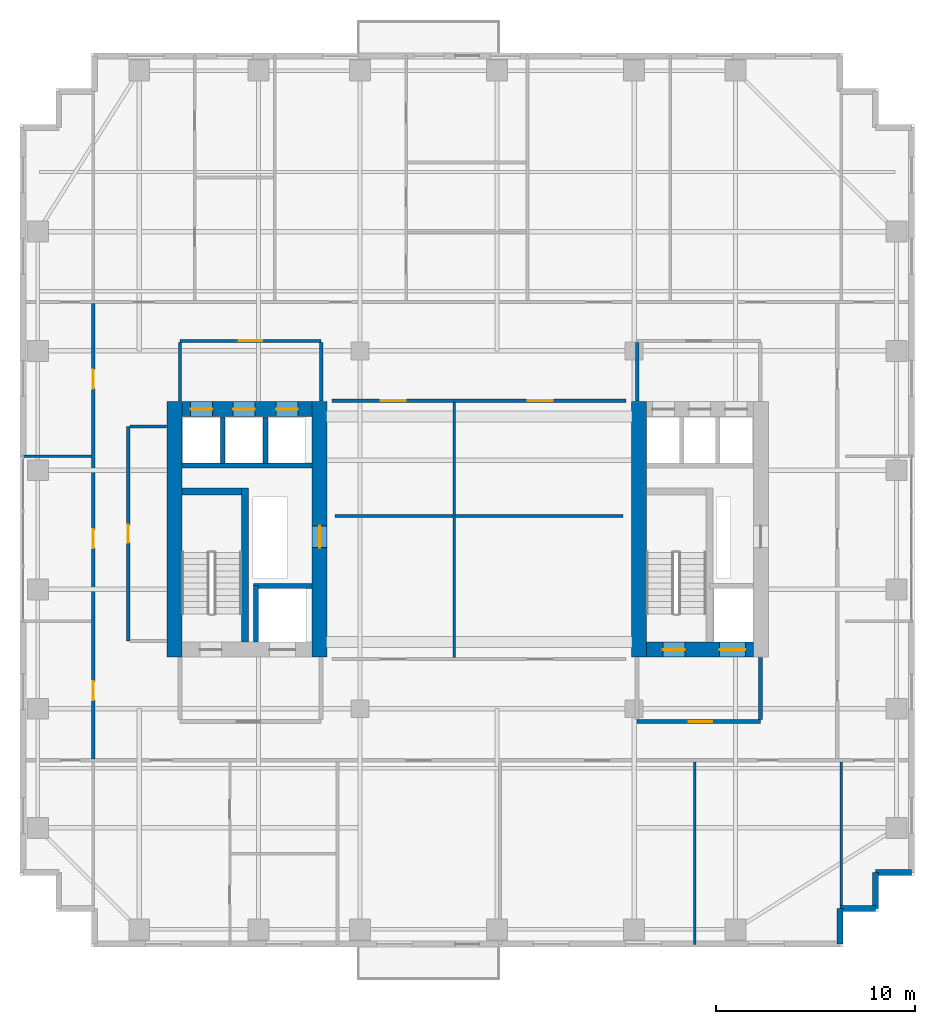
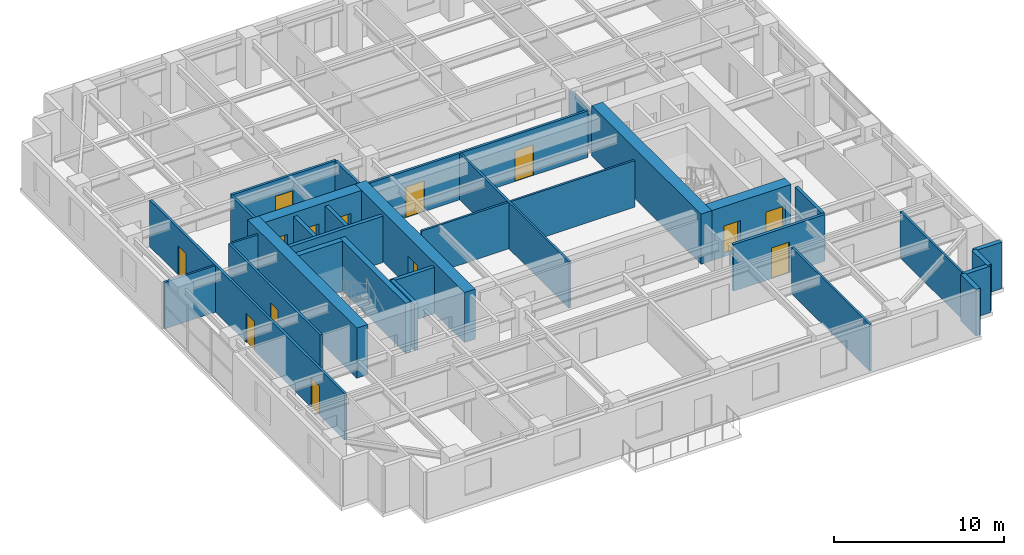
# One storey, part 9 of 14: 31 walls, 14 doors, 14 openings.
"""IFC4 building model written with IfcOpenShell, lengths in metres."""

from ifc_helpers import new_model, si_unit, direction, frame, frame_2d, origin, place, context, subcontext, project, spatial, rectangle, extrude, source, transform, mapped, material, layer, layer_set, type_object, element, fill, save


model = new_model("IFC4")

# Units and contexts
model_context = context("Model", 3, precision=1e-05, world=origin(), true_north=direction((0.0, 1.0)))
body_context = subcontext(model_context, "Body", "Model", "MODEL_VIEW")
ifc_project = project(units=[si_unit("LENGTHUNIT", "METRE"), si_unit("AREAUNIT", "SQUARE_METRE"), si_unit("VOLUMEUNIT", "CUBIC_METRE"), si_unit("PLANEANGLEUNIT", "RADIAN"), si_unit("MASSUNIT", "GRAM", prefix="KILO")], contexts=[model_context])

# Site, building, storey
site_placement = place(None, origin())
site = spatial("IfcSite", under=ifc_project, at=site_placement, CompositionType="ELEMENT")
building_placement = place(site_placement, origin())
building = spatial("IfcBuilding", under=site, at=building_placement, Name="Khoralis Quay Care Tower", CompositionType="ELEMENT")
storey_placement = place(building_placement, frame((0.0, 0.0, 108.89990234375)))
storey = spatial("IfcBuildingStorey", under=building, at=storey_placement, Name="L28", CompositionType="ELEMENT", Elevation=108.89990234375)

# Wall, opening, door
ifc_material_1 = material(Name="Gypsum plasterboard on acoustic metal stud")
ifc_layer_1 = layer(ifc_material_1, 0.199951171875)
ifc_layer_set_1 = layer_set([ifc_layer_1], Name="Gypsum plasterboard on acoustic metal stud")
wall_type_1 = type_object("IfcWallType", Name="WL-COMP-200", PredefinedType="PARTITIONING", material=ifc_layer_set_1)
wall_1_placement = place(storey_placement, frame((31.050048828125, 11.35009765625, 0.0), z_axis=(0.0, 0.0, 1.0), x_axis=(1.0, 0.0, 0.0)))
wall_1 = element("IfcWall", 1, at=wall_1_placement, inside=storey, type_object=wall_type_1, Name="L28 East Firefighting Lobby South Wall", PredefinedType="PARTITIONING", context=body_context, shape_type="SweptSolid", body=[
    extrude(rectangle(XDim=6.199951171875, YDim=0.199951171875, at=frame_2d((3.10009765625, 0.0))), origin(), (0.0, 0.0, 1.0), 3.340087890625),
])
opening_1_placement = place(wall_1_placement, frame((2.585693359375, 0.0, 0.0)))
opening_1 = element("IfcOpeningElement", 2, at=opening_1_placement, cuts=wall_1, Name="Opening FD1", PredefinedType="OPENING", context=body_context, shape_type="SweptSolid", body=[
    extrude(rectangle(XDim=1.199951171875, YDim=2.199951171875, at=frame_2d((0.60009765625, 1.10009765625))), frame((0.0, 0.10986328125, 0.0), z_axis=(0.0, -1.0, 0.0), x_axis=(1.0, 0.0, 0.0)), (0.0, 0.0, 1.0), 0.219970703125),
])
ifc_material_2 = material(Name="Fire-rated painted steel", Category="steel")
door_type_1 = type_object("IfcDoorType", Name="DR-FFL-1200X2200", OperationType="NOTDEFINED", PredefinedType="DOOR", material=ifc_material_2)
shared_shape_1 = source(origin(), body_context, "Body", "SweptSolid", [
    extrude(rectangle(XDim=1.199951171875, YDim=2.199951171875, at=frame_2d((0.60009765625, 1.10009765625))), frame((0.0, 0.02490234375, 0.0), z_axis=(0.0, -1.0, 0.0), x_axis=(1.0, 0.0, 0.0)), (0.0, 0.0, 1.0), 0.050048828125),
])
door_1_placement = place(opening_1_placement, origin())
door_1 = element("IfcDoor", 3, at=door_1_placement, inside=storey, type_object=door_type_1, Name="L28 East Firefighting Lobby Fire Door", OperationType="SINGLE_SWING_LEFT", OverallHeight=2.199951171875, OverallWidth=1.199951171875, PredefinedType="DOOR", context=body_context, shape_type="MappedRepresentation", body=[
    mapped(shared_shape_1, transform((0.0, 0.0, 0.0), scale=1.0)),
])
fill(opening_1, door_1)

# Walls
wall_2_placement = place(storey_placement, frame((37.25, 11.445068359375, 0.0), z_axis=(0.0, 0.0, 1.0), x_axis=(0.0, 1.0, 0.0)))
element("IfcWall", 4, at=wall_2_placement, inside=storey, type_object=wall_type_1, Name="L28 East Firefighting Lobby East Wall", PredefinedType="PARTITIONING", context=body_context, shape_type="SweptSolid", body=[
    extrude(rectangle(XDim=3.135009765625, YDim=0.199951171875, at=frame_2d((1.5673828125, 0.0))), origin(), (0.0, 0.0, 1.0), 3.340087890625),
])
ifc_material_3 = material(Name="Concrete C80/95", Category="concrete")
ifc_layer_2 = layer(ifc_material_3, 0.75)
ifc_layer_set_2 = layer_set([ifc_layer_2], Name="Concrete C80/95")
wall_type_2 = type_object("IfcWallType", Name="WL-CORE-750", PredefinedType="SHEAR", material=ifc_layer_set_2)
wall_3_placement = place(storey_placement, frame((7.77490234375, 14.60009765625, 0.0), z_axis=(0.0, 0.0, 1.0), x_axis=(0.0, 1.0, 0.0)))
element("IfcWall", 5, at=wall_3_placement, inside=storey, type_object=wall_type_2, Name="L28 WCORE West Shear Wall", PredefinedType="SHEAR", context=body_context, shape_type="SweptSolid", body=[
    extrude(rectangle(XDim=12.849853515625, YDim=0.75, at=frame_2d((6.4248046875, 0.0))), origin(), (0.0, 0.0, 1.0), 3.60009765625),
])

# Wall, opening, door
wall_4_placement = place(storey_placement, frame((15.074951171875, 14.60009765625, 0.0), z_axis=(0.0, 0.0, 1.0), x_axis=(0.0, 1.0, 0.0)))
wall_4 = element("IfcWall", 6, at=wall_4_placement, inside=storey, type_object=wall_type_2, Name="L28 WCORE East Shear Wall", PredefinedType="SHEAR", context=body_context, shape_type="SweptSolid", body=[
    extrude(rectangle(XDim=12.849853515625, YDim=0.75, at=frame_2d((6.4248046875, 0.0))), origin(), (0.0, 0.0, 1.0), 3.60009765625),
])
opening_2_placement = place(wall_4_placement, frame((5.5, 0.0, 0.0)))
opening_2 = element("IfcOpeningElement", 7, at=opening_2_placement, cuts=wall_4, Name="Opening SD1", PredefinedType="OPENING", context=body_context, shape_type="SweptSolid", body=[
    extrude(rectangle(XDim=1.10009765625, YDim=2.199951171875, at=frame_2d((0.550048828125, 1.10009765625))), frame((0.0, 0.385009765625, 0.0), z_axis=(0.0, -1.0, 0.0), x_axis=(1.0, 0.0, 0.0)), (0.0, 0.0, 1.0), 0.77001953125),
])
door_type_2 = type_object("IfcDoorType", Name="DR-STAIR-1100X2200", OperationType="NOTDEFINED", PredefinedType="DOOR", material=ifc_material_2)
shared_shape_2 = source(origin(), body_context, "Body", "SweptSolid", [
    extrude(rectangle(XDim=1.10009765625, YDim=2.199951171875, at=frame_2d((0.550048828125, 1.10009765625))), frame((0.0, 0.02490234375, 0.0), z_axis=(0.0, -1.0, 0.0), x_axis=(1.0, 0.0, 0.0)), (0.0, 0.0, 1.0), 0.050048828125),
])
door_2_placement = place(opening_2_placement, origin())
door_2 = element("IfcDoor", 8, at=door_2_placement, inside=storey, type_object=door_type_2, Name="L28 West MEP Riser Door", OperationType="SINGLE_SWING_RIGHT", OverallHeight=2.199951171875, OverallWidth=1.10009765625, PredefinedType="DOOR", context=body_context, shape_type="MappedRepresentation", body=[
    mapped(shared_shape_2, transform((0.0, 0.0, 0.0), scale=1.0)),
])
fill(opening_2, door_2)

# Wall, openings, doors
wall_5_placement = place(storey_placement, frame((8.14990234375, 27.074951171875, 0.0), z_axis=(0.0, 0.0, 1.0), x_axis=(1.0, 0.0, 0.0)))
wall_5 = element("IfcWall", 9, at=wall_5_placement, inside=storey, type_object=wall_type_2, Name="L28 WCORE North Shear Wall", PredefinedType="SHEAR", context=body_context, shape_type="SweptSolid", body=[
    extrude(rectangle(XDim=6.550048828125, YDim=0.75, at=frame_2d((3.27490234375, 0.0))), origin(), (0.0, 0.0, 1.0), 3.60009765625),
])
opening_3_placement = place(wall_5_placement, frame((0.429931640625, 0.0, 0.0)))
opening_3 = element("IfcOpeningElement", 10, at=opening_3_placement, cuts=wall_5, Name="Opening LD1", PredefinedType="OPENING", context=body_context, shape_type="SweptSolid", body=[
    extrude(rectangle(XDim=1.10009765625, YDim=2.199951171875, at=frame_2d((0.550048828125, 1.10009765625))), frame((0.0, 0.385009765625, 0.0), z_axis=(0.0, -1.0, 0.0), x_axis=(1.0, 0.0, 0.0)), (0.0, 0.0, 1.0), 0.77001953125),
])
opening_4_placement = place(wall_5_placement, frame((2.570068359375, 0.0, 0.0)))
opening_4 = element("IfcOpeningElement", 11, at=opening_4_placement, cuts=wall_5, Name="Opening LD1", PredefinedType="OPENING", context=body_context, shape_type="SweptSolid", body=[
    extrude(rectangle(XDim=1.10009765625, YDim=2.199951171875, at=frame_2d((0.550048828125, 1.10009765625))), frame((0.0, 0.385009765625, 0.0), z_axis=(0.0, -1.0, 0.0), x_axis=(1.0, 0.0, 0.0)), (0.0, 0.0, 1.0), 0.77001953125),
])
opening_5_placement = place(wall_5_placement, frame((4.72998046875, 0.0, 0.0)))
opening_5 = element("IfcOpeningElement", 12, at=opening_5_placement, cuts=wall_5, Name="Opening LD1", PredefinedType="OPENING", context=body_context, shape_type="SweptSolid", body=[
    extrude(rectangle(XDim=1.10009765625, YDim=2.199951171875, at=frame_2d((0.550048828125, 1.10009765625))), frame((0.0, 0.385009765625, 0.0), z_axis=(0.0, -1.0, 0.0), x_axis=(1.0, 0.0, 0.0)), (0.0, 0.0, 1.0), 0.77001953125),
])
ifc_material_4 = material(Name="Brushed stainless steel", Category="steel")
door_type_3 = type_object("IfcDoorType", Name="DR-LIFT-1100X2200", OperationType="SLIDING_TO_LEFT", PredefinedType="DOOR", material=ifc_material_4)
shared_shape_3 = source(origin(), body_context, "Body", "SweptSolid", [
    extrude(rectangle(XDim=1.10009765625, YDim=2.199951171875, at=frame_2d((0.550048828125, 1.10009765625))), frame((0.0, 0.02490234375, 0.0), z_axis=(0.0, -1.0, 0.0), x_axis=(1.0, 0.0, 0.0)), (0.0, 0.0, 1.0), 0.050048828125),
])
door_3_placement = place(opening_3_placement, origin())
door_3 = element("IfcDoor", 13, at=door_3_placement, inside=storey, type_object=door_type_3, Name="L28 Lift PLL1 Landing Door", OperationType="SLIDING_TO_LEFT", OverallHeight=2.199951171875, OverallWidth=1.10009765625, PredefinedType="DOOR", context=body_context, shape_type="MappedRepresentation", body=[
    mapped(shared_shape_3, transform((0.0, 0.0, 0.0), scale=1.0)),
])
fill(opening_3, door_3)
door_4_placement = place(opening_4_placement, origin())
door_4 = element("IfcDoor", 14, at=door_4_placement, inside=storey, type_object=door_type_3, Name="L28 Lift PLM1 Landing Door", OperationType="SLIDING_TO_LEFT", OverallHeight=2.199951171875, OverallWidth=1.10009765625, PredefinedType="DOOR", context=body_context, shape_type="MappedRepresentation", body=[
    mapped(shared_shape_3, transform((0.0, 0.0, 0.0), scale=1.0)),
])
fill(opening_4, door_4)
door_5_placement = place(opening_5_placement, origin())
door_5 = element("IfcDoor", 15, at=door_5_placement, inside=storey, type_object=door_type_3, Name="L28 Lift PLH1 Landing Door", OperationType="SLIDING_TO_LEFT", OverallHeight=2.199951171875, OverallWidth=1.10009765625, PredefinedType="DOOR", context=body_context, shape_type="MappedRepresentation", body=[
    mapped(shared_shape_3, transform((0.0, 0.0, 0.0), scale=1.0)),
])
fill(opening_5, door_5)

# Wall
wall_6_placement = place(storey_placement, frame((31.14501953125, 14.60009765625, 0.0), z_axis=(0.0, 0.0, 1.0), x_axis=(0.0, 1.0, 0.0)))
element("IfcWall", 16, at=wall_6_placement, inside=storey, type_object=wall_type_2, Name="L28 ECORE West Shear Wall", PredefinedType="SHEAR", context=body_context, shape_type="SweptSolid", body=[
    extrude(rectangle(XDim=12.849853515625, YDim=0.75, at=frame_2d((6.4248046875, 0.0))), origin(), (0.0, 0.0, 1.0), 3.60009765625),
])

# Wall, openings, doors
wall_7_placement = place(storey_placement, frame((31.52001953125, 14.97509765625, 0.0), z_axis=(0.0, 0.0, 1.0), x_axis=(1.0, 0.0, 0.0)))
wall_7 = element("IfcWall", 17, at=wall_7_placement, inside=storey, type_object=wall_type_2, Name="L28 ECORE South Shear Wall", PredefinedType="SHEAR", context=body_context, shape_type="SweptSolid", body=[
    extrude(rectangle(XDim=5.3798828125, YDim=0.75, at=frame_2d((2.68994140625, 0.0))), origin(), (0.0, 0.0, 1.0), 3.60009765625),
])
opening_6_placement = place(wall_7_placement, frame((0.830078125, 0.0, 0.0)))
opening_6 = element("IfcOpeningElement", 18, at=opening_6_placement, cuts=wall_7, Name="Opening SD1", PredefinedType="OPENING", context=body_context, shape_type="SweptSolid", body=[
    extrude(rectangle(XDim=1.10009765625, YDim=2.199951171875, at=frame_2d((0.550048828125, 1.10009765625))), frame((0.0, 0.385009765625, 0.0), z_axis=(0.0, -1.0, 0.0), x_axis=(1.0, 0.0, 0.0)), (0.0, 0.0, 1.0), 0.77001953125),
])
opening_7_placement = place(wall_7_placement, frame((3.679931640625, 0.0, 0.0)))
opening_7 = element("IfcOpeningElement", 19, at=opening_7_placement, cuts=wall_7, Name="Opening LD2", PredefinedType="OPENING", context=body_context, shape_type="SweptSolid", body=[
    extrude(rectangle(XDim=1.300048828125, YDim=2.199951171875, at=frame_2d((0.64990234375, 1.10009765625))), frame((0.0, 0.385009765625, 0.0), z_axis=(0.0, -1.0, 0.0), x_axis=(1.0, 0.0, 0.0)), (0.0, 0.0, 1.0), 0.77001953125),
])
door_6_placement = place(opening_6_placement, origin())
door_6 = element("IfcDoor", 20, at=door_6_placement, inside=storey, type_object=door_type_2, Name="L28 Stair ST-T2 Fire Door", OperationType="SINGLE_SWING_LEFT", OverallHeight=2.199951171875, OverallWidth=1.10009765625, PredefinedType="DOOR", context=body_context, shape_type="MappedRepresentation", body=[
    mapped(shared_shape_2, transform((0.0, 0.0, 0.0), scale=1.0)),
])
fill(opening_6, door_6)
door_type_4 = type_object("IfcDoorType", Name="DR-LIFT-1300X2200", OperationType="SLIDING_TO_RIGHT", PredefinedType="DOOR", material=ifc_material_4)
shared_shape_4 = source(origin(), body_context, "Body", "SweptSolid", [
    extrude(rectangle(XDim=1.300048828125, YDim=2.199951171875, at=frame_2d((0.64990234375, 1.10009765625))), frame((0.0, 0.02490234375, 0.0), z_axis=(0.0, -1.0, 0.0), x_axis=(1.0, 0.0, 0.0)), (0.0, 0.0, 1.0), 0.050048828125),
])
door_7_placement = place(opening_7_placement, origin())
door_7 = element("IfcDoor", 21, at=door_7_placement, inside=storey, type_object=door_type_4, Name="L28 Firefighting Lift FFL-2 Landing Door", OperationType="SLIDING_TO_RIGHT", OverallHeight=2.199951171875, OverallWidth=1.300048828125, PredefinedType="DOOR", context=body_context, shape_type="MappedRepresentation", body=[
    mapped(shared_shape_4, transform((0.0, 0.0, 0.0), scale=1.0)),
])
fill(opening_7, door_7)

# Wall, opening, door
ifc_layer_3 = layer(ifc_material_1, 0.1650390625)
ifc_layer_set_3 = layer_set([ifc_layer_3], Name="Gypsum plasterboard on acoustic metal stud")
wall_type_3 = type_object("IfcWallType", Name="WL-CORR-165", PredefinedType="PARTITIONING", material=ifc_layer_set_3)
wall_8_placement = place(storey_placement, frame((8.050048828125, 30.5, 0.0), z_axis=(0.0, 0.0, 1.0), x_axis=(1.0, 0.0, 0.0)))
wall_8 = element("IfcWall", 22, at=wall_8_placement, inside=storey, type_object=wall_type_3, Name="L28 West Lift Lobby North Wall", PredefinedType="PARTITIONING", context=body_context, shape_type="SweptSolid", body=[
    extrude(rectangle(XDim=7.099853515625, YDim=0.1650390625, at=frame_2d((3.5498046875, 0.0))), origin(), (0.0, 0.0, 1.0), 3.340087890625),
])
opening_8_placement = place(wall_8_placement, frame((2.949951171875, 0.0, 0.0)))
opening_8 = element("IfcOpeningElement", 23, at=opening_8_placement, cuts=wall_8, Name="Opening FD1", PredefinedType="OPENING", context=body_context, shape_type="SweptSolid", body=[
    extrude(rectangle(XDim=1.199951171875, YDim=2.199951171875, at=frame_2d((0.60009765625, 1.10009765625))), frame((0.0, 0.092529296875, 0.0), z_axis=(0.0, -1.0, 0.0), x_axis=(1.0, 0.0, 0.0)), (0.0, 0.0, 1.0), 0.18505859375),
])
door_8_placement = place(opening_8_placement, origin())
door_8 = element("IfcDoor", 24, at=door_8_placement, inside=storey, type_object=door_type_1, Name="L28 West Lift Lobby Double Door", OperationType="DOUBLE_DOOR_SINGLE_SWING", OverallHeight=2.199951171875, OverallWidth=1.199951171875, PredefinedType="DOOR", context=body_context, shape_type="MappedRepresentation", body=[
    mapped(shared_shape_1, transform((0.0, 0.0, 0.0), scale=1.0)),
])
fill(opening_8, door_8)

# Walls
for number, where, z_axis, x_axis, name in (
    (25, (8.050048828125, 27.469970703125, 0.0), (0.0, 0.0, 1.0), (0.0, 1.0, 0.0), "L28 West Lift Lobby West Wall"),
    (26, (15.14990234375, 27.469970703125, 0.0), (0.0, 0.0, 1.0), (0.0, 1.0, 0.0), "L28 West Lift Lobby East Wall"),
):
    element("IfcWall", number, at=place(storey_placement, frame(where, z_axis=z_axis, x_axis=x_axis)), inside=storey, type_object=wall_type_3, Name=name, PredefinedType="PARTITIONING", context=body_context, shape_type="SweptSolid", body=[
        extrude(rectangle(XDim=2.95263671875, YDim=0.1650390625, at=frame_2d((1.476318359375, 0.0))), origin(), (0.0, 0.0, 1.0), 3.340087890625),
    ])
wall_9_placement = place(storey_placement, frame((31.050048828125, 27.469970703125, 0.0), z_axis=(0.0, 0.0, 1.0), x_axis=(0.0, 1.0, 0.0)))
element("IfcWall", 27, at=wall_9_placement, inside=storey, type_object=wall_type_3, Name="L28 East Lift Lobby West Wall", PredefinedType="PARTITIONING", context=body_context, shape_type="SweptSolid", body=[
    extrude(rectangle(XDim=2.95263671875, YDim=0.1650390625, at=frame_2d((1.476318359375, 0.0))), origin(), (0.0, 0.0, 1.0), 2.796142578125),
])

# Wall, opening, door
wall_10_placement = place(storey_placement, frame((5.449951171875, 15.39990234375, 0.0), z_axis=(0.0, 0.0, 1.0), x_axis=(0.0, 1.0, 0.0)))
wall_10 = element("IfcWall", 28, at=wall_10_placement, inside=storey, type_object=wall_type_3, Name="L28 West Core Service Flank Wall", PredefinedType="PARTITIONING", context=body_context, shape_type="SweptSolid", body=[
    extrude(rectangle(XDim=10.800048828125, YDim=0.1650390625, at=frame_2d((5.39990234375, 0.0))), origin(), (0.0, 0.0, 1.0), 3.340087890625),
])
opening_9_placement = place(wall_10_placement, frame((4.949951171875, 0.0, 0.0)))
opening_9 = element("IfcOpeningElement", 29, at=opening_9_placement, cuts=wall_10, Name="Opening WD1", PredefinedType="OPENING", context=body_context, shape_type="SweptSolid", body=[
    extrude(rectangle(XDim=0.89990234375, YDim=2.10009765625, at=frame_2d((0.449951171875, 1.050048828125))), frame((0.0, 0.092529296875, 0.0), z_axis=(0.0, -1.0, 0.0), x_axis=(1.0, 0.0, 0.0)), (0.0, 0.0, 1.0), 0.18505859375),
])
ifc_material_5 = material(Name="Acoustic hardwood timber", Category="wood")
door_type_5 = type_object("IfcDoorType", Name="DR-BATH-900X2100", OperationType="NOTDEFINED", PredefinedType="DOOR", material=ifc_material_5)
shared_shape_5 = source(origin(), body_context, "Body", "SweptSolid", [
    extrude(rectangle(XDim=0.89990234375, YDim=2.10009765625, at=frame_2d((0.449951171875, 1.050048828125))), frame((0.0, 0.02490234375, 0.0), z_axis=(0.0, -1.0, 0.0), x_axis=(1.0, 0.0, 0.0)), (0.0, 0.0, 1.0), 0.050048828125),
])
door_9_placement = place(opening_9_placement, frame((0.89990234375, 0.0, 0.0), z_axis=(0.0, 0.0, 1.0), x_axis=(-1.0, 0.0, 0.0)))
door_9 = element("IfcDoor", 30, at=door_9_placement, inside=storey, type_object=door_type_5, Name="L28 Housekeeping & Public Accessible WC Door", OperationType="SINGLE_SWING_LEFT", OverallHeight=2.10009765625, OverallWidth=0.89990234375, PredefinedType="DOOR", context=body_context, shape_type="MappedRepresentation", body=[
    mapped(shared_shape_5, transform((0.0, 0.0, 0.0), scale=1.0)),
])
fill(opening_9, door_9)

# Wall, openings, doors
wall_11_placement = place(storey_placement, frame((3.679931640625, 9.4775390625, 0.0), z_axis=(0.0, 0.0, 1.0), x_axis=(0.0, 1.0, 0.0)))
wall_11 = element("IfcWall", 31, at=wall_11_placement, inside=storey, type_object=wall_type_3, Name="L28 West Loop Corridor Wall", PredefinedType="PARTITIONING", context=body_context, shape_type="SweptSolid", body=[
    extrude(rectangle(XDim=22.905029296875, YDim=0.1650390625, at=frame_2d((11.45263671875, 0.0))), origin(), (0.0, 0.0, 1.0), 3.340087890625),
])
opening_10_placement = place(wall_11_placement, frame((2.947509765625, 0.0, 0.0)))
opening_10 = element("IfcOpeningElement", 32, at=opening_10_placement, cuts=wall_11, Name="Opening ID1", PredefinedType="OPENING", context=body_context, shape_type="SweptSolid", body=[
    extrude(rectangle(XDim=0.949951171875, YDim=2.10009765625, at=frame_2d((0.47509765625, 1.050048828125))), frame((0.0, 0.092529296875, 0.0), z_axis=(0.0, -1.0, 0.0), x_axis=(1.0, 0.0, 0.0)), (0.0, 0.0, 1.0), 0.18505859375),
])
opening_11_placement = place(wall_11_placement, frame((10.597412109375, 0.0, 0.0)))
opening_11 = element("IfcOpeningElement", 33, at=opening_11_placement, cuts=wall_11, Name="Opening ID1", PredefinedType="OPENING", context=body_context, shape_type="SweptSolid", body=[
    extrude(rectangle(XDim=0.949951171875, YDim=2.10009765625, at=frame_2d((0.47509765625, 1.050048828125))), frame((0.0, 0.092529296875, 0.0), z_axis=(0.0, -1.0, 0.0), x_axis=(1.0, 0.0, 0.0)), (0.0, 0.0, 1.0), 0.18505859375),
])
opening_12_placement = place(wall_11_placement, frame((18.62744140625, 0.0, 0.0)))
opening_12 = element("IfcOpeningElement", 34, at=opening_12_placement, cuts=wall_11, Name="Opening ID1", PredefinedType="OPENING", context=body_context, shape_type="SweptSolid", body=[
    extrude(rectangle(XDim=0.949951171875, YDim=2.10009765625, at=frame_2d((0.47509765625, 1.050048828125))), frame((0.0, 0.092529296875, 0.0), z_axis=(0.0, -1.0, 0.0), x_axis=(1.0, 0.0, 0.0)), (0.0, 0.0, 1.0), 0.18505859375),
])
door_type_6 = type_object("IfcDoorType", Name="DR-ROOM-950X2100", OperationType="NOTDEFINED", PredefinedType="DOOR", material=ifc_material_5)
shared_shape_6 = source(origin(), body_context, "Body", "SweptSolid", [
    extrude(rectangle(XDim=0.949951171875, YDim=2.10009765625, at=frame_2d((0.47509765625, 1.050048828125))), frame((0.0, 0.02490234375, 0.0), z_axis=(0.0, -1.0, 0.0), x_axis=(1.0, 0.0, 0.0)), (0.0, 0.0, 1.0), 0.050048828125),
])
door_10_placement = place(opening_10_placement, origin())
door_10 = element("IfcDoor", 35, at=door_10_placement, inside=storey, type_object=door_type_6, Name="L28 Therapy Consultation Room Door", OperationType="SINGLE_SWING_LEFT", OverallHeight=2.10009765625, OverallWidth=0.949951171875, PredefinedType="DOOR", context=body_context, shape_type="MappedRepresentation", body=[
    mapped(shared_shape_6, transform((0.0, 0.0, 0.0), scale=1.0)),
])
fill(opening_10, door_10)
door_11_placement = place(opening_11_placement, origin())
door_11 = element("IfcDoor", 36, at=door_11_placement, inside=storey, type_object=door_type_6, Name="L28 Assisted Activity Lounge Door", OperationType="SINGLE_SWING_RIGHT", OverallHeight=2.10009765625, OverallWidth=0.949951171875, PredefinedType="DOOR", context=body_context, shape_type="MappedRepresentation", body=[
    mapped(shared_shape_6, transform((0.0, 0.0, 0.0), scale=1.0)),
])
fill(opening_11, door_11)
door_12_placement = place(opening_12_placement, origin())
door_12 = element("IfcDoor", 37, at=door_12_placement, inside=storey, type_object=door_type_6, Name="L28 Nurse Charting Office Door", OperationType="SINGLE_SWING_LEFT", OverallHeight=2.10009765625, OverallWidth=0.949951171875, PredefinedType="DOOR", context=body_context, shape_type="MappedRepresentation", body=[
    mapped(shared_shape_6, transform((0.0, 0.0, 0.0), scale=1.0)),
])
fill(opening_12, door_12)

wall_12_placement = place(storey_placement, frame((15.699951171875, 27.5, 0.0), z_axis=(0.0, 0.0, 1.0), x_axis=(1.0, 0.0, 0.0)))
wall_12 = element("IfcWall", 38, at=wall_12_placement, inside=storey, type_object=wall_type_3, Name="L28 Central Clinical North Wall", PredefinedType="PARTITIONING", context=body_context, shape_type="SweptSolid", body=[
    extrude(rectangle(XDim=14.800048828125, YDim=0.1650390625, at=frame_2d((7.39990234375, 0.0))), origin(), (0.0, 0.0, 1.0), 3.340087890625),
])
opening_13_placement = place(wall_12_placement, frame((2.449951171875, 0.0, 0.0)))
opening_13 = element("IfcOpeningElement", 39, at=opening_13_placement, cuts=wall_12, Name="Opening CD1", PredefinedType="OPENING", context=body_context, shape_type="SweptSolid", body=[
    extrude(rectangle(XDim=1.25, YDim=2.199951171875, at=frame_2d((0.625, 1.10009765625))), frame((0.0, 0.092529296875, 0.0), z_axis=(0.0, -1.0, 0.0), x_axis=(1.0, 0.0, 0.0)), (0.0, 0.0, 1.0), 0.18505859375),
])
opening_14_placement = place(wall_12_placement, frame((9.85009765625, 0.0, 0.0)))
opening_14 = element("IfcOpeningElement", 40, at=opening_14_placement, cuts=wall_12, Name="Opening CD1", PredefinedType="OPENING", context=body_context, shape_type="SweptSolid", body=[
    extrude(rectangle(XDim=1.25, YDim=2.199951171875, at=frame_2d((0.625, 1.10009765625))), frame((0.0, 0.092529296875, 0.0), z_axis=(0.0, -1.0, 0.0), x_axis=(1.0, 0.0, 0.0)), (0.0, 0.0, 1.0), 0.18505859375),
])
door_type_7 = type_object("IfcDoorType", Name="DR-CARE-1250X2200", OperationType="NOTDEFINED", PredefinedType="DOOR", material=ifc_material_5)
shared_shape_7 = source(origin(), body_context, "Body", "SweptSolid", [
    extrude(rectangle(XDim=1.25, YDim=2.199951171875, at=frame_2d((0.625, 1.10009765625))), frame((0.0, 0.02490234375, 0.0), z_axis=(0.0, -1.0, 0.0), x_axis=(1.0, 0.0, 0.0)), (0.0, 0.0, 1.0), 0.050048828125),
])
door_13_placement = place(opening_13_placement, frame((1.25, 0.0, 0.0), z_axis=(0.0, 0.0, 1.0), x_axis=(-1.0, 0.0, 0.0)))
door_13 = element("IfcDoor", 41, at=door_13_placement, inside=storey, type_object=door_type_7, Name="L28 Library Lounge Door", OperationType="SINGLE_SWING_LEFT", OverallHeight=2.199951171875, OverallWidth=1.25, PredefinedType="DOOR", context=body_context, shape_type="MappedRepresentation", body=[
    mapped(shared_shape_7, transform((0.0, 0.0, 0.0), scale=1.0)),
])
fill(opening_13, door_13)
door_14_placement = place(opening_14_placement, frame((1.25, 0.0, 0.0), z_axis=(0.0, 0.0, 1.0), x_axis=(-1.0, 0.0, 0.0)))
door_14 = element("IfcDoor", 42, at=door_14_placement, inside=storey, type_object=door_type_7, Name="L28 Occupational Therapy Door", OperationType="SINGLE_SWING_RIGHT", OverallHeight=2.199951171875, OverallWidth=1.25, PredefinedType="DOOR", context=body_context, shape_type="MappedRepresentation", body=[
    mapped(shared_shape_7, transform((0.0, 0.0, 0.0), scale=1.0)),
])
fill(opening_14, door_14)

# Walls
ifc_material_6 = material(Name="Precast concrete C45/55", Category="concrete")
ifc_layer_4 = layer(ifc_material_6, 0.300048828125)
ifc_layer_set_4 = layer_set([ifc_layer_4], Name="Precast concrete C45/55")
wall_type_4 = type_object("IfcWallType", Name="WL-EXT-REF-300", PredefinedType="SOLIDWALL", material=ifc_layer_set_4)
for number, where, z_axis, x_axis, name in (
    (43, (41.25, 0.14990234375, 0.0), (0.0, 0.0, 1.0), (0.0, 1.0, 0.0), "L28 External Facade Wall WL-EXT-L28-P1-C1"),
    (44, (41.25, 1.949951171875, 0.0), (0.0, 0.0, 1.0), (1.0, 0.0, 0.0), "L28 External Facade Wall WL-EXT-L28-P1-C2"),
    (45, (43.050048828125, 1.949951171875, 0.0), (0.0, 0.0, 1.0), (0.0, 1.0, 0.0), "L28 External Facade Wall WL-EXT-L28-P1-C3"),
    (46, (43.050048828125, 3.75, 0.0), (0.0, 0.0, 1.0), (1.0, 0.0, 0.0), "L28 External Facade Wall WL-EXT-L28-P1-C4"),
):
    element("IfcWall", number, at=place(storey_placement, frame(where, z_axis=z_axis, x_axis=x_axis)), inside=storey, type_object=wall_type_4, Name=name, PredefinedType="SOLIDWALL", context=body_context, shape_type="SweptSolid", body=[
        extrude(rectangle(XDim=1.800048828125, YDim=0.300048828125, at=frame_2d((0.89990234375, 0.0))), origin(), (0.0, 0.0, 1.0), 3.340087890625),
    ])
ifc_material_7 = material(Name="Concrete C40/50", Category="concrete")
ifc_layer_5 = layer(ifc_material_7, 0.35009765625)
ifc_layer_set_5 = layer_set([ifc_layer_5], Name="Concrete C40/50")
wall_type_5 = type_object("IfcWallType", Name="WL-SC-CORE-350", PredefinedType="SHEAR", material=ifc_layer_set_5)
wall_13_placement = place(storey_placement, frame((11.324951171875, 15.35009765625, 0.0), z_axis=(0.0, 0.0, 1.0), x_axis=(0.0, 1.0, 0.0)))
element("IfcWall", 47, at=wall_13_placement, inside=storey, type_object=wall_type_5, Name="L28 Stair ST-T1 Shear Baffle Wall East", PredefinedType="SHEAR", context=body_context, shape_type="SweptSolid", body=[
    extrude(rectangle(XDim=7.75, YDim=0.35009765625, at=frame_2d((3.875, 0.0))), origin(), (0.0, 0.0, 1.0), 3.60009765625),
])
wall_14_placement = place(storey_placement, frame((8.14990234375, 22.925048828125, 0.0), z_axis=(0.0, 0.0, 1.0), x_axis=(1.0, 0.0, 0.0)))
element("IfcWall", 48, at=wall_14_placement, inside=storey, type_object=wall_type_5, Name="L28 Stair ST-T1 Shear Baffle Wall North", PredefinedType="SHEAR", context=body_context, shape_type="SweptSolid", body=[
    extrude(rectangle(XDim=3.0, YDim=0.35009765625, at=frame_2d((1.5, 0.0))), origin(), (0.0, 0.0, 1.0), 3.60009765625),
])
ifc_layer_6 = layer(ifc_material_1, 0.239990234375)
ifc_layer_set_6 = layer_set([ifc_layer_6], Name="Gypsum plasterboard on acoustic metal stud")
wall_type_6 = type_object("IfcWallType", Name="WL-SHAFT-240", PredefinedType="PARTITIONING", material=ifc_layer_set_6)
wall_15_placement = place(storey_placement, frame((11.8798828125, 15.35009765625, 0.0), z_axis=(0.0, 0.0, 1.0), x_axis=(0.0, 1.0, 0.0)))
element("IfcWall", 49, at=wall_15_placement, inside=storey, type_object=wall_type_6, Name="L28 FFL-1 Shaft Wall West", PredefinedType="PARTITIONING", context=body_context, shape_type="SweptSolid", body=[
    extrude(rectangle(XDim=2.849853515625, YDim=0.239990234375, at=frame_2d((1.4248046875, 0.0))), origin(), (0.0, 0.0, 1.0), 3.340087890625),
])
wall_16_placement = place(storey_placement, frame((11.760009765625, 18.169921875, 0.0), z_axis=(0.0, 0.0, 1.0), x_axis=(1.0, 0.0, 0.0)))
element("IfcWall", 50, at=wall_16_placement, inside=storey, type_object=wall_type_6, Name="L28 FFL-1 Shaft Wall North", PredefinedType="PARTITIONING", context=body_context, shape_type="SweptSolid", body=[
    extrude(rectangle(XDim=2.919921875, YDim=0.239990234375, at=frame_2d((1.4599609375, 0.0))), origin(), (0.0, 0.0, 1.0), 3.340087890625),
])
wall_17_placement = place(storey_placement, frame((8.14990234375, 24.22998046875, 0.0), z_axis=(0.0, 0.0, 1.0), x_axis=(1.0, 0.0, 0.0)))
element("IfcWall", 51, at=wall_17_placement, inside=storey, type_object=wall_type_6, Name="L28 West Passenger Shaft South Wall", PredefinedType="PARTITIONING", context=body_context, shape_type="SweptSolid", body=[
    extrude(rectangle(XDim=6.530029296875, YDim=0.239990234375, at=frame_2d((3.26513671875, 0.0))), origin(), (0.0, 0.0, 1.0), 3.340087890625),
])
for number, where, z_axis, x_axis, name in (
    (52, (10.199951171875, 24.344970703125, 0.0), (0.0, 0.0, 1.0), (0.0, 1.0, 0.0), "L28 West Shaft Divider 1"),
    (53, (12.35009765625, 24.344970703125, 0.0), (0.0, 0.0, 1.0), (0.0, 1.0, 0.0), "L28 West Shaft Divider 2"),
):
    element("IfcWall", number, at=place(storey_placement, frame(where, z_axis=z_axis, x_axis=x_axis)), inside=storey, type_object=wall_type_6, Name=name, PredefinedType="PARTITIONING", context=body_context, shape_type="SweptSolid", body=[
        extrude(rectangle(XDim=2.3349609375, YDim=0.239990234375, at=frame_2d((1.16748046875, 0.0))), origin(), (0.0, 0.0, 1.0), 3.340087890625),
    ])
ifc_layer_7 = layer(ifc_material_1, 0.139892578125)
ifc_layer_set_7 = layer_set([ifc_layer_7], Name="Gypsum plasterboard on acoustic metal stud")
wall_type_7 = type_object("IfcWallType", Name="WL-UNIT-140", PredefinedType="PARTITIONING", material=ifc_layer_set_7)
wall_18_placement = place(storey_placement, frame((5.527587890625, 26.199951171875, 0.0), z_axis=(0.0, 0.0, 1.0), x_axis=(1.0, 0.0, 0.0)))
element("IfcWall", 54, at=wall_18_placement, inside=storey, type_object=wall_type_7, Name="L28 West Flank North Cap", PredefinedType="PARTITIONING", context=body_context, shape_type="SweptSolid", body=[
    extrude(rectangle(XDim=1.83251953125, YDim=0.139892578125, at=frame_2d((0.916259765625, 0.0))), origin(), (0.0, 0.0, 1.0), 3.340087890625),
])
wall_19_placement = place(storey_placement, frame((0.14501953125, 24.699951171875, 0.0), z_axis=(0.0, 0.0, 1.0), x_axis=(1.0, 0.0, 0.0)))
element("IfcWall", 55, at=wall_19_placement, inside=storey, type_object=wall_type_7, Name="L28 WW Divider 2", PredefinedType="PARTITIONING", context=body_context, shape_type="SweptSolid", body=[
    extrude(rectangle(XDim=3.45751953125, YDim=0.139892578125, at=frame_2d((1.728759765625, 0.0))), origin(), (0.0, 0.0, 1.0), 3.340087890625),
])
wall_20_placement = place(storey_placement, frame((21.85009765625, 14.577392578125, 0.0), z_axis=(0.0, 0.0, 1.0), x_axis=(0.0, 1.0, 0.0)))
element("IfcWall", 56, at=wall_20_placement, inside=storey, type_object=wall_type_7, Name="L28 Central Split V", PredefinedType="PARTITIONING", context=body_context, shape_type="SweptSolid", body=[
    extrude(rectangle(XDim=12.84521484375, YDim=0.139892578125, at=frame_2d((6.422607421875, 0.0))), origin(), (0.0, 0.0, 1.0), 3.340087890625),
])
wall_21_placement = place(storey_placement, frame((15.85009765625, 21.699951171875, 0.0), z_axis=(0.0, 0.0, 1.0), x_axis=(1.0, 0.0, 0.0)))
element("IfcWall", 57, at=wall_21_placement, inside=storey, type_object=wall_type_7, Name="L28 Central Split H", PredefinedType="PARTITIONING", context=body_context, shape_type="SweptSolid", body=[
    extrude(rectangle(XDim=14.5, YDim=0.139892578125, at=frame_2d((7.25, 0.0))), origin(), (0.0, 0.0, 1.0), 3.340087890625),
])
wall_22_placement = place(storey_placement, frame((33.949951171875, 0.14501953125, 0.0), z_axis=(0.0, 0.0, 1.0), x_axis=(0.0, 1.0, 0.0)))
element("IfcWall", 58, at=wall_22_placement, inside=storey, type_object=wall_type_7, Name="L28 SB Demising Wall 3", PredefinedType="PARTITIONING", context=body_context, shape_type="SweptSolid", body=[
    extrude(rectangle(XDim=9.177490234375, YDim=0.139892578125, at=frame_2d((4.5888671875, 0.0))), origin(), (0.0, 0.0, 1.0), 3.340087890625),
])
wall_23_placement = place(storey_placement, frame((41.320068359375, 1.945068359375, 0.0), z_axis=(0.0, 0.0, 1.0), x_axis=(0.0, 1.0, 0.0)))
element("IfcWall", 59, at=wall_23_placement, inside=storey, type_object=wall_type_7, Name="L28 SB Demising Wall 4", PredefinedType="PARTITIONING", context=body_context, shape_type="SweptSolid", body=[
    extrude(rectangle(XDim=7.37744140625, YDim=0.139892578125, at=frame_2d((3.688720703125, 0.0))), origin(), (0.0, 0.0, 1.0), 3.340087890625),
])

save(model, "model.ifc")
